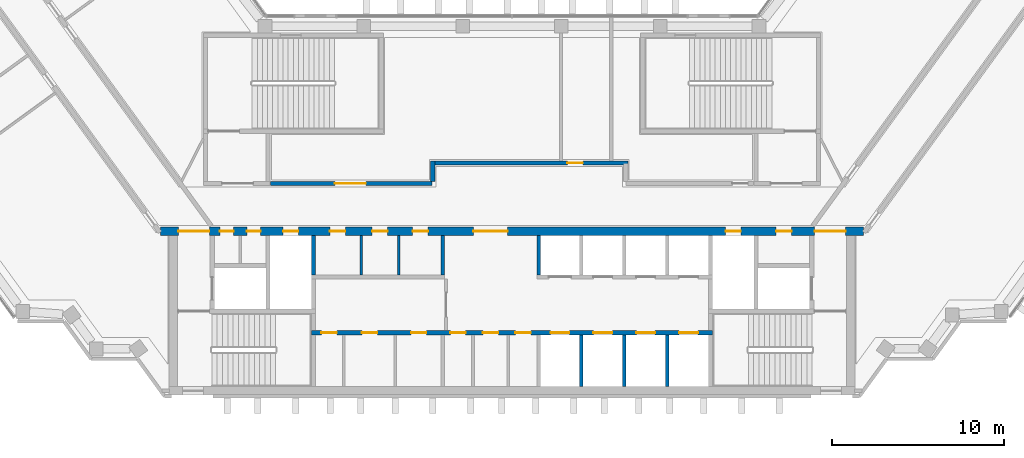
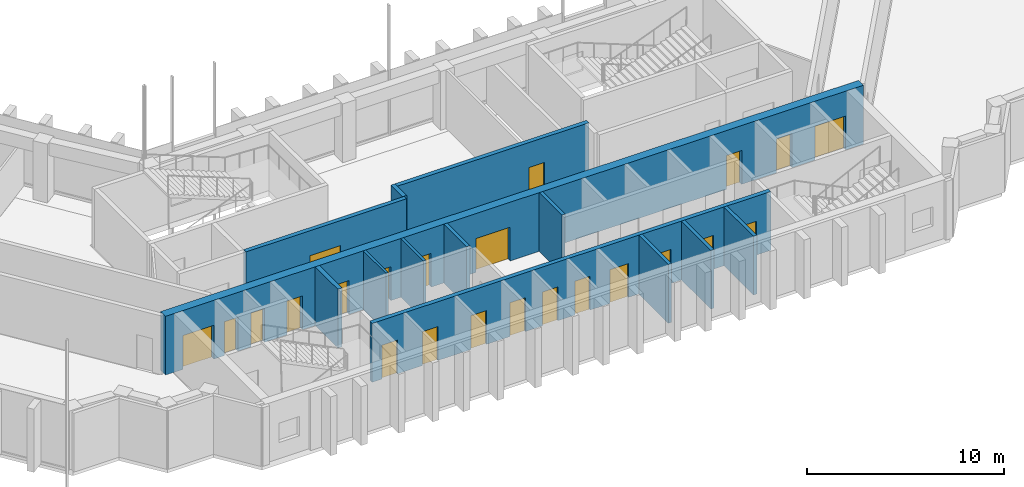
# One storey, part 8 of 12: 23 doors, 13 walls, 23 openings.
"""IFC4 building model written with IfcOpenShell, lengths in metres."""

from ifc_helpers import new_model, si_unit, direction, frame, frame_2d, origin, place, context, subcontext, project, spatial, rectangle, extrude, material, layer, layer_set, type_object, element, fill, save


model = new_model("IFC4")

# Units and contexts
model_context = context("Model", 3, precision=1e-05, world=origin(), true_north=direction((0.0, 1.0)))
body_context = subcontext(model_context, "Body", "Model", "MODEL_VIEW")
ifc_project = project(units=[si_unit("LENGTHUNIT", "METRE"), si_unit("AREAUNIT", "SQUARE_METRE"), si_unit("VOLUMEUNIT", "CUBIC_METRE"), si_unit("PLANEANGLEUNIT", "RADIAN"), si_unit("MASSUNIT", "GRAM", prefix="KILO")], contexts=[model_context])

# Site, building, storey
site_placement = place(None, origin())
site = spatial("IfcSite", under=ifc_project, at=site_placement, CompositionType="ELEMENT")
building_placement = place(site_placement, origin())
building = spatial("IfcBuilding", under=site, at=building_placement, Name="Quipu Civic Tower", CompositionType="ELEMENT")
storey_placement = place(building_placement, frame((0.0, 0.0, 222.0)))
storey = spatial("IfcBuildingStorey", under=building, at=storey_placement, Name="L52", CompositionType="ELEMENT", Elevation=222.0)

# Wall, openings, doors
ifc_material_1 = material(Name="Concrete C70/85", Category="concrete")
ifc_layer_1 = layer(ifc_material_1, 0.25)
ifc_layer_set_1 = layer_set([ifc_layer_1], Name="Concrete C70/85")
wall_type_1 = type_object("IfcWallType", Name="Core wall 250", PredefinedType="SHEAR", material=ifc_layer_set_1)
wall_1_placement = place(storey_placement, frame((11.699951171875, -7.375, 0.0), z_axis=(0.0, 0.0, 1.0), x_axis=(-1.0, 0.0, 0.0)))
wall_1 = element("IfcWall", 1, at=wall_1_placement, inside=storey, type_object=wall_type_1, Name="Core wall", PredefinedType="SHEAR", context=body_context, shape_type="SweptSolid", body=[
    extrude(rectangle(XDim=23.39990234375, YDim=0.25, at=frame_2d((11.699951171875, 0.0))), origin(), (0.0, 0.0, 1.0), 3.64990234375),
])
opening_1_placement = place(wall_1_placement, frame((21.912109375, 0.0, 0.0)))
opening_1 = element("IfcOpeningElement", 2, at=opening_1_placement, cuts=wall_1, Name="Opening CD-01", PredefinedType="OPENING", context=body_context, shape_type="SweptSolid", body=[
    extrude(rectangle(XDim=0.89990234375, YDim=2.10009765625, at=frame_2d((0.449951171875, 1.050048828125))), frame((0.0, 0.135009765625, 0.0), z_axis=(0.0, -1.0, 0.0), x_axis=(1.0, 0.0, 0.0)), (0.0, 0.0, 1.0), 0.27001953125),
])
opening_2_placement = place(wall_1_placement, frame((19.550048828125, 0.0, 0.0)))
opening_2 = element("IfcOpeningElement", 3, at=opening_2_placement, cuts=wall_1, Name="Opening CD-02", PredefinedType="OPENING", context=body_context, shape_type="SweptSolid", body=[
    extrude(rectangle(XDim=0.89990234375, YDim=2.10009765625, at=frame_2d((0.449951171875, 1.050048828125))), frame((0.0, 0.135009765625, 0.0), z_axis=(0.0, -1.0, 0.0), x_axis=(1.0, 0.0, 0.0)), (0.0, 0.0, 1.0), 0.27001953125),
])
opening_3_placement = place(wall_1_placement, frame((16.68798828125, 0.0, 0.0)))
opening_3 = element("IfcOpeningElement", 4, at=opening_3_placement, cuts=wall_1, Name="Opening CD-03", PredefinedType="OPENING", context=body_context, shape_type="SweptSolid", body=[
    extrude(rectangle(XDim=0.89990234375, YDim=2.10009765625, at=frame_2d((0.449951171875, 1.050048828125))), frame((0.0, 0.135009765625, 0.0), z_axis=(0.0, -1.0, 0.0), x_axis=(1.0, 0.0, 0.0)), (0.0, 0.0, 1.0), 0.27001953125),
])
opening_4_placement = place(wall_1_placement, frame((14.39990234375, 0.0, 0.0)))
opening_4 = element("IfcOpeningElement", 5, at=opening_4_placement, cuts=wall_1, Name="Opening CD-04", PredefinedType="OPENING", context=body_context, shape_type="SweptSolid", body=[
    extrude(rectangle(XDim=0.89990234375, YDim=2.10009765625, at=frame_2d((0.449951171875, 1.050048828125))), frame((0.0, 0.135009765625, 0.0), z_axis=(0.0, -1.0, 0.0), x_axis=(1.0, 0.0, 0.0)), (0.0, 0.0, 1.0), 0.27001953125),
])
opening_5_placement = place(wall_1_placement, frame((12.5, 0.0, 0.0)))
opening_5 = element("IfcOpeningElement", 6, at=opening_5_placement, cuts=wall_1, Name="Opening CD-05", PredefinedType="OPENING", context=body_context, shape_type="SweptSolid", body=[
    extrude(rectangle(XDim=0.89990234375, YDim=2.10009765625, at=frame_2d((0.449951171875, 1.050048828125))), frame((0.0, 0.135009765625, 0.0), z_axis=(0.0, -1.0, 0.0), x_axis=(1.0, 0.0, 0.0)), (0.0, 0.0, 1.0), 0.27001953125),
])
opening_6_placement = place(wall_1_placement, frame((10.60009765625, 0.0, 0.0)))
opening_6 = element("IfcOpeningElement", 7, at=opening_6_placement, cuts=wall_1, Name="Opening CD-06", PredefinedType="OPENING", context=body_context, shape_type="SweptSolid", body=[
    extrude(rectangle(XDim=0.89990234375, YDim=2.10009765625, at=frame_2d((0.449951171875, 1.050048828125))), frame((0.0, 0.135009765625, 0.0), z_axis=(0.0, -1.0, 0.0), x_axis=(1.0, 0.0, 0.0)), (0.0, 0.0, 1.0), 0.27001953125),
])
opening_7_placement = place(wall_1_placement, frame((8.35009765625, 0.0, 0.0)))
opening_7 = element("IfcOpeningElement", 8, at=opening_7_placement, cuts=wall_1, Name="Opening LD-ML1", PredefinedType="OPENING", context=body_context, shape_type="SweptSolid", body=[
    extrude(rectangle(XDim=1.10009765625, YDim=2.10009765625, at=frame_2d((0.550048828125, 1.050048828125))), frame((0.0, 0.135009765625, 0.0), z_axis=(0.0, -1.0, 0.0), x_axis=(1.0, 0.0, 0.0)), (0.0, 0.0, 1.0), 0.27001953125),
])
opening_8_placement = place(wall_1_placement, frame((5.85009765625, 0.0, 0.0)))
opening_8 = element("IfcOpeningElement", 9, at=opening_8_placement, cuts=wall_1, Name="Opening LD-ML2", PredefinedType="OPENING", context=body_context, shape_type="SweptSolid", body=[
    extrude(rectangle(XDim=1.10009765625, YDim=2.10009765625, at=frame_2d((0.550048828125, 1.050048828125))), frame((0.0, 0.135009765625, 0.0), z_axis=(0.0, -1.0, 0.0), x_axis=(1.0, 0.0, 0.0)), (0.0, 0.0, 1.0), 0.27001953125),
])
opening_9_placement = place(wall_1_placement, frame((3.35009765625, 0.0, 0.0)))
opening_9 = element("IfcOpeningElement", 10, at=opening_9_placement, cuts=wall_1, Name="Opening LD-ML3", PredefinedType="OPENING", context=body_context, shape_type="SweptSolid", body=[
    extrude(rectangle(XDim=1.10009765625, YDim=2.10009765625, at=frame_2d((0.550048828125, 1.050048828125))), frame((0.0, 0.135009765625, 0.0), z_axis=(0.0, -1.0, 0.0), x_axis=(1.0, 0.0, 0.0)), (0.0, 0.0, 1.0), 0.27001953125),
])
opening_10_placement = place(wall_1_placement, frame((0.85009765625, 0.0, 0.0)))
opening_10 = element("IfcOpeningElement", 11, at=opening_10_placement, cuts=wall_1, Name="Opening LD-ML4", PredefinedType="OPENING", context=body_context, shape_type="SweptSolid", body=[
    extrude(rectangle(XDim=1.10009765625, YDim=2.10009765625, at=frame_2d((0.550048828125, 1.050048828125))), frame((0.0, 0.135009765625, 0.0), z_axis=(0.0, -1.0, 0.0), x_axis=(1.0, 0.0, 0.0)), (0.0, 0.0, 1.0), 0.27001953125),
])
ifc_material_2 = material(Name="Fire rated steel door", Category="steel")
door_type_1 = type_object("IfcDoorType", Name="Fire door FD60 900 x 2100", OperationType="NOTDEFINED", PredefinedType="DOOR", material=ifc_material_2)
door_1_placement = place(opening_1_placement, origin())
door_1 = element("IfcDoor", 12, at=door_1_placement, inside=storey, type_object=door_type_1, Name="Door", OperationType="SINGLE_SWING_RIGHT", OverallHeight=2.10009765625, OverallWidth=0.89990234375, PredefinedType="DOOR", context=body_context, shape_type="SweptSolid", body=[
    extrude(rectangle(XDim=0.89990234375, YDim=2.10009765625, at=frame_2d((0.449951171875, 1.050048828125))), frame((0.0, 0.02490234375, 0.0), z_axis=(0.0, -1.0, 0.0), x_axis=(1.0, 0.0, 0.0)), (0.0, 0.0, 1.0), 0.050048828125),
])
fill(opening_1, door_1)
door_2_placement = place(opening_2_placement, origin())
door_2 = element("IfcDoor", 13, at=door_2_placement, inside=storey, type_object=door_type_1, Name="Door", OperationType="SINGLE_SWING_RIGHT", OverallHeight=2.10009765625, OverallWidth=0.89990234375, PredefinedType="DOOR", context=body_context, shape_type="SweptSolid", body=[
    extrude(rectangle(XDim=0.89990234375, YDim=2.10009765625, at=frame_2d((0.449951171875, 1.050048828125))), frame((0.0, 0.02490234375, 0.0), z_axis=(0.0, -1.0, 0.0), x_axis=(1.0, 0.0, 0.0)), (0.0, 0.0, 1.0), 0.050048828125),
])
fill(opening_2, door_2)
door_3_placement = place(opening_3_placement, origin())
door_3 = element("IfcDoor", 14, at=door_3_placement, inside=storey, type_object=door_type_1, Name="Door", OperationType="SINGLE_SWING_RIGHT", OverallHeight=2.10009765625, OverallWidth=0.89990234375, PredefinedType="DOOR", context=body_context, shape_type="SweptSolid", body=[
    extrude(rectangle(XDim=0.89990234375, YDim=2.10009765625, at=frame_2d((0.449951171875, 1.050048828125))), frame((0.0, 0.02490234375, 0.0), z_axis=(0.0, -1.0, 0.0), x_axis=(1.0, 0.0, 0.0)), (0.0, 0.0, 1.0), 0.050048828125),
])
fill(opening_3, door_3)
door_4_placement = place(opening_4_placement, origin())
door_4 = element("IfcDoor", 15, at=door_4_placement, inside=storey, type_object=door_type_1, Name="WC door", OperationType="SINGLE_SWING_RIGHT", OverallHeight=2.10009765625, OverallWidth=0.89990234375, PredefinedType="DOOR", context=body_context, shape_type="SweptSolid", body=[
    extrude(rectangle(XDim=0.89990234375, YDim=2.10009765625, at=frame_2d((0.449951171875, 1.050048828125))), frame((0.0, 0.02490234375, 0.0), z_axis=(0.0, -1.0, 0.0), x_axis=(1.0, 0.0, 0.0)), (0.0, 0.0, 1.0), 0.050048828125),
])
fill(opening_4, door_4)
door_5_placement = place(opening_5_placement, origin())
door_5 = element("IfcDoor", 16, at=door_5_placement, inside=storey, type_object=door_type_1, Name="WC door", OperationType="SINGLE_SWING_RIGHT", OverallHeight=2.10009765625, OverallWidth=0.89990234375, PredefinedType="DOOR", context=body_context, shape_type="SweptSolid", body=[
    extrude(rectangle(XDim=0.89990234375, YDim=2.10009765625, at=frame_2d((0.449951171875, 1.050048828125))), frame((0.0, 0.02490234375, 0.0), z_axis=(0.0, -1.0, 0.0), x_axis=(1.0, 0.0, 0.0)), (0.0, 0.0, 1.0), 0.050048828125),
])
fill(opening_5, door_5)
door_6_placement = place(opening_6_placement, origin())
door_6 = element("IfcDoor", 17, at=door_6_placement, inside=storey, type_object=door_type_1, Name="WC door", OperationType="SINGLE_SWING_LEFT", OverallHeight=2.10009765625, OverallWidth=0.89990234375, PredefinedType="DOOR", context=body_context, shape_type="SweptSolid", body=[
    extrude(rectangle(XDim=0.89990234375, YDim=2.10009765625, at=frame_2d((0.449951171875, 1.050048828125))), frame((0.0, 0.02490234375, 0.0), z_axis=(0.0, -1.0, 0.0), x_axis=(1.0, 0.0, 0.0)), (0.0, 0.0, 1.0), 0.050048828125),
])
fill(opening_6, door_6)
ifc_material_3 = material(Name="Stainless steel", Category="steel")
door_type_2 = type_object("IfcDoorType", Name="Lift landing door 1100 x 2100", OperationType="DOUBLE_DOOR_SLIDING", PredefinedType="DOOR", material=ifc_material_3)
door_7_placement = place(opening_7_placement, origin())
door_7 = element("IfcDoor", 18, at=door_7_placement, inside=storey, type_object=door_type_2, Name="Landing door ML1", OperationType="DOUBLE_DOOR_SLIDING", OverallHeight=2.10009765625, OverallWidth=1.10009765625, PredefinedType="DOOR", context=body_context, shape_type="SweptSolid", body=[
    extrude(rectangle(XDim=1.10009765625, YDim=2.10009765625, at=frame_2d((0.550048828125, 1.050048828125))), frame((0.0, 0.02490234375, 0.0), z_axis=(0.0, -1.0, 0.0), x_axis=(1.0, 0.0, 0.0)), (0.0, 0.0, 1.0), 0.050048828125),
])
fill(opening_7, door_7)
door_8_placement = place(opening_8_placement, origin())
door_8 = element("IfcDoor", 19, at=door_8_placement, inside=storey, type_object=door_type_2, Name="Landing door ML2", OperationType="DOUBLE_DOOR_SLIDING", OverallHeight=2.10009765625, OverallWidth=1.10009765625, PredefinedType="DOOR", context=body_context, shape_type="SweptSolid", body=[
    extrude(rectangle(XDim=1.10009765625, YDim=2.10009765625, at=frame_2d((0.550048828125, 1.050048828125))), frame((0.0, 0.02490234375, 0.0), z_axis=(0.0, -1.0, 0.0), x_axis=(1.0, 0.0, 0.0)), (0.0, 0.0, 1.0), 0.050048828125),
])
fill(opening_8, door_8)
door_9_placement = place(opening_9_placement, origin())
door_9 = element("IfcDoor", 20, at=door_9_placement, inside=storey, type_object=door_type_2, Name="Landing door ML3", OperationType="DOUBLE_DOOR_SLIDING", OverallHeight=2.10009765625, OverallWidth=1.10009765625, PredefinedType="DOOR", context=body_context, shape_type="SweptSolid", body=[
    extrude(rectangle(XDim=1.10009765625, YDim=2.10009765625, at=frame_2d((0.550048828125, 1.050048828125))), frame((0.0, 0.02490234375, 0.0), z_axis=(0.0, -1.0, 0.0), x_axis=(1.0, 0.0, 0.0)), (0.0, 0.0, 1.0), 0.050048828125),
])
fill(opening_9, door_9)
door_10_placement = place(opening_10_placement, origin())
door_10 = element("IfcDoor", 21, at=door_10_placement, inside=storey, type_object=door_type_2, Name="Landing door ML4", OperationType="DOUBLE_DOOR_SLIDING", OverallHeight=2.10009765625, OverallWidth=1.10009765625, PredefinedType="DOOR", context=body_context, shape_type="SweptSolid", body=[
    extrude(rectangle(XDim=1.10009765625, YDim=2.10009765625, at=frame_2d((0.550048828125, 1.050048828125))), frame((0.0, 0.02490234375, 0.0), z_axis=(0.0, -1.0, 0.0), x_axis=(1.0, 0.0, 0.0)), (0.0, 0.0, 1.0), 0.050048828125),
])
fill(opening_10, door_10)

# Wall
wall_2_placement = place(storey_placement, frame((-11.574951171875, -4.0, 0.0), z_axis=(0.0, 0.0, 1.0), x_axis=(0.0, 1.0, 0.0)))
element("IfcWall", 22, at=wall_2_placement, inside=storey, type_object=wall_type_1, Name="Core wall", PredefinedType="SHEAR", context=body_context, shape_type="SweptSolid", body=[
    extrude(rectangle(XDim=2.300048828125, YDim=0.25, at=frame_2d((1.14990234375, 0.0))), origin(), (0.0, 0.0, 1.0), 3.64990234375),
])

# Wall, openings, doors
ifc_material_4 = material(Name="Concrete C70/85", Category="concrete")
ifc_layer_2 = layer(ifc_material_4, 0.5)
ifc_layer_set_2 = layer_set([ifc_layer_2], Name="Concrete C70/85")
wall_type_2 = type_object("IfcWallType", Name="Core wall 500", PredefinedType="SHEAR", material=ifc_layer_set_2)
wall_3_placement = place(storey_placement, frame((20.489990234375, -1.449951171875, 0.0), z_axis=(0.0, 0.0, 1.0), x_axis=(-1.0, 0.0, 0.0)))
wall_3 = element("IfcWall", 23, at=wall_3_placement, inside=storey, type_object=wall_type_2, Name="Core wall", PredefinedType="SHEAR", context=body_context, shape_type="SweptSolid", body=[
    extrude(rectangle(XDim=40.97998046875, YDim=0.5, at=frame_2d((20.489990234375, 0.0))), origin(), (0.0, 0.0, 1.0), 3.64990234375),
])
opening_11_placement = place(wall_3_placement, frame((38.139892578125, 0.0, 0.0)))
opening_11 = element("IfcOpeningElement", 24, at=opening_11_placement, cuts=wall_3, Name="Opening CD-10", PredefinedType="OPENING", context=body_context, shape_type="SweptSolid", body=[
    extrude(rectangle(XDim=1.800048828125, YDim=2.10009765625, at=frame_2d((0.89990234375, 1.050048828125))), frame((0.0, 0.260009765625, 0.0), z_axis=(0.0, -1.0, 0.0), x_axis=(1.0, 0.0, 0.0)), (0.0, 0.0, 1.0), 0.52001953125),
])
opening_12_placement = place(wall_3_placement, frame((36.7275390625, 0.0, 0.0)))
opening_12 = element("IfcOpeningElement", 25, at=opening_12_placement, cuts=wall_3, Name="Opening CD-11", PredefinedType="OPENING", context=body_context, shape_type="SweptSolid", body=[
    extrude(rectangle(XDim=0.800048828125, YDim=2.10009765625, at=frame_2d((0.39990234375, 1.050048828125))), frame((0.0, 0.260009765625, 0.0), z_axis=(0.0, -1.0, 0.0), x_axis=(1.0, 0.0, 0.0)), (0.0, 0.0, 1.0), 0.52001953125),
])
opening_13_placement = place(wall_3_placement, frame((35.152587890625, 0.0, 0.0)))
opening_13 = element("IfcOpeningElement", 26, at=opening_13_placement, cuts=wall_3, Name="Opening CD-12", PredefinedType="OPENING", context=body_context, shape_type="SweptSolid", body=[
    extrude(rectangle(XDim=0.800048828125, YDim=2.10009765625, at=frame_2d((0.39990234375, 1.050048828125))), frame((0.0, 0.260009765625, 0.0), z_axis=(0.0, -1.0, 0.0), x_axis=(1.0, 0.0, 0.0)), (0.0, 0.0, 1.0), 0.52001953125),
])
opening_14_placement = place(wall_3_placement, frame((32.93994140625, 0.0, 0.0)))
opening_14 = element("IfcOpeningElement", 27, at=opening_14_placement, cuts=wall_3, Name="Opening CD-13", PredefinedType="OPENING", context=body_context, shape_type="SweptSolid", body=[
    extrude(rectangle(XDim=0.89990234375, YDim=2.10009765625, at=frame_2d((0.449951171875, 1.050048828125))), frame((0.0, 0.260009765625, 0.0), z_axis=(0.0, -1.0, 0.0), x_axis=(1.0, 0.0, 0.0)), (0.0, 0.0, 1.0), 0.52001953125),
])
opening_15_placement = place(wall_3_placement, frame((30.202392578125, 0.0, 0.0)))
opening_15 = element("IfcOpeningElement", 28, at=opening_15_placement, cuts=wall_3, Name="Opening CD-14", PredefinedType="OPENING", context=body_context, shape_type="SweptSolid", body=[
    extrude(rectangle(XDim=0.89990234375, YDim=2.10009765625, at=frame_2d((0.449951171875, 1.050048828125))), frame((0.0, 0.260009765625, 0.0), z_axis=(0.0, -1.0, 0.0), x_axis=(1.0, 0.0, 0.0)), (0.0, 0.0, 1.0), 0.52001953125),
])
opening_16_placement = place(wall_3_placement, frame((27.739990234375, 0.0, 0.0)))
opening_16 = element("IfcOpeningElement", 29, at=opening_16_placement, cuts=wall_3, Name="Opening CD-15", PredefinedType="OPENING", context=body_context, shape_type="SweptSolid", body=[
    extrude(rectangle(XDim=0.89990234375, YDim=2.10009765625, at=frame_2d((0.449951171875, 1.050048828125))), frame((0.0, 0.260009765625, 0.0), z_axis=(0.0, -1.0, 0.0), x_axis=(1.0, 0.0, 0.0)), (0.0, 0.0, 1.0), 0.52001953125),
])
opening_17_placement = place(wall_3_placement, frame((25.37744140625, 0.0, 0.0)))
opening_17 = element("IfcOpeningElement", 30, at=opening_17_placement, cuts=wall_3, Name="Opening CD-16", PredefinedType="OPENING", context=body_context, shape_type="SweptSolid", body=[
    extrude(rectangle(XDim=0.89990234375, YDim=2.10009765625, at=frame_2d((0.449951171875, 1.050048828125))), frame((0.0, 0.260009765625, 0.0), z_axis=(0.0, -1.0, 0.0), x_axis=(1.0, 0.0, 0.0)), (0.0, 0.0, 1.0), 0.52001953125),
])
opening_18_placement = place(wall_3_placement, frame((20.739990234375, 0.0, 0.0)))
opening_18 = element("IfcOpeningElement", 31, at=opening_18_placement, cuts=wall_3, Name="Opening CD-17", PredefinedType="OPENING", context=body_context, shape_type="SweptSolid", body=[
    extrude(rectangle(XDim=2.0, YDim=2.10009765625, at=frame_2d((1.0, 1.050048828125))), frame((0.0, 0.260009765625, 0.0), z_axis=(0.0, -1.0, 0.0), x_axis=(1.0, 0.0, 0.0)), (0.0, 0.0, 1.0), 0.52001953125),
])
opening_19_placement = place(wall_3_placement, frame((7.139892578125, 0.0, 0.0)))
opening_19 = element("IfcOpeningElement", 32, at=opening_19_placement, cuts=wall_3, Name="Opening CD-18", PredefinedType="OPENING", context=body_context, shape_type="SweptSolid", body=[
    extrude(rectangle(XDim=0.89990234375, YDim=2.10009765625, at=frame_2d((0.449951171875, 1.050048828125))), frame((0.0, 0.260009765625, 0.0), z_axis=(0.0, -1.0, 0.0), x_axis=(1.0, 0.0, 0.0)), (0.0, 0.0, 1.0), 0.52001953125),
])
opening_20_placement = place(wall_3_placement, frame((4.18994140625, 0.0, 0.0)))
opening_20 = element("IfcOpeningElement", 33, at=opening_20_placement, cuts=wall_3, Name="Opening CD-19", PredefinedType="OPENING", context=body_context, shape_type="SweptSolid", body=[
    extrude(rectangle(XDim=0.89990234375, YDim=2.10009765625, at=frame_2d((0.449951171875, 1.050048828125))), frame((0.0, 0.260009765625, 0.0), z_axis=(0.0, -1.0, 0.0), x_axis=(1.0, 0.0, 0.0)), (0.0, 0.0, 1.0), 0.52001953125),
])
opening_21_placement = place(wall_3_placement, frame((1.0400390625, 0.0, 0.0)))
opening_21 = element("IfcOpeningElement", 34, at=opening_21_placement, cuts=wall_3, Name="Opening CD-20", PredefinedType="OPENING", context=body_context, shape_type="SweptSolid", body=[
    extrude(rectangle(XDim=1.800048828125, YDim=2.10009765625, at=frame_2d((0.89990234375, 1.050048828125))), frame((0.0, 0.260009765625, 0.0), z_axis=(0.0, -1.0, 0.0), x_axis=(1.0, 0.0, 0.0)), (0.0, 0.0, 1.0), 0.52001953125),
])
ifc_material_5 = material(Name="Fire rated steel door", Category="steel")
door_type_3 = type_object("IfcDoorType", Name="Fire door FD60 800 x 2100", OperationType="NOTDEFINED", PredefinedType="DOOR", material=ifc_material_5)
door_11_placement = place(opening_12_placement, origin())
door_11 = element("IfcDoor", 35, at=door_11_placement, inside=storey, type_object=door_type_3, Name="Door", OperationType="SINGLE_SWING_RIGHT", OverallHeight=2.10009765625, OverallWidth=0.800048828125, PredefinedType="DOOR", context=body_context, shape_type="SweptSolid", body=[
    extrude(rectangle(XDim=0.800048828125, YDim=2.10009765625, at=frame_2d((0.39990234375, 1.050048828125))), frame((0.0, 0.02490234375, 0.0), z_axis=(0.0, -1.0, 0.0), x_axis=(1.0, 0.0, 0.0)), (0.0, 0.0, 1.0), 0.050048828125),
])
fill(opening_12, door_11)
door_12_placement = place(opening_13_placement, origin())
door_12 = element("IfcDoor", 36, at=door_12_placement, inside=storey, type_object=door_type_3, Name="Door", OperationType="SINGLE_SWING_RIGHT", OverallHeight=2.10009765625, OverallWidth=0.800048828125, PredefinedType="DOOR", context=body_context, shape_type="SweptSolid", body=[
    extrude(rectangle(XDim=0.800048828125, YDim=2.10009765625, at=frame_2d((0.39990234375, 1.050048828125))), frame((0.0, 0.02490234375, 0.0), z_axis=(0.0, -1.0, 0.0), x_axis=(1.0, 0.0, 0.0)), (0.0, 0.0, 1.0), 0.050048828125),
])
fill(opening_13, door_12)
door_13_placement = place(opening_14_placement, origin())
door_13 = element("IfcDoor", 37, at=door_13_placement, inside=storey, type_object=door_type_1, Name="Riser door", OperationType="SINGLE_SWING_RIGHT", OverallHeight=2.10009765625, OverallWidth=0.89990234375, PredefinedType="DOOR", context=body_context, shape_type="SweptSolid", body=[
    extrude(rectangle(XDim=0.89990234375, YDim=2.10009765625, at=frame_2d((0.449951171875, 1.050048828125))), frame((0.0, 0.02490234375, 0.0), z_axis=(0.0, -1.0, 0.0), x_axis=(1.0, 0.0, 0.0)), (0.0, 0.0, 1.0), 0.050048828125),
])
fill(opening_14, door_13)
door_14_placement = place(opening_15_placement, origin())
door_14 = element("IfcDoor", 38, at=door_14_placement, inside=storey, type_object=door_type_1, Name="Door", OperationType="SINGLE_SWING_RIGHT", OverallHeight=2.10009765625, OverallWidth=0.89990234375, PredefinedType="DOOR", context=body_context, shape_type="SweptSolid", body=[
    extrude(rectangle(XDim=0.89990234375, YDim=2.10009765625, at=frame_2d((0.449951171875, 1.050048828125))), frame((0.0, 0.02490234375, 0.0), z_axis=(0.0, -1.0, 0.0), x_axis=(1.0, 0.0, 0.0)), (0.0, 0.0, 1.0), 0.050048828125),
])
fill(opening_15, door_14)
door_15_placement = place(opening_16_placement, origin())
door_15 = element("IfcDoor", 39, at=door_15_placement, inside=storey, type_object=door_type_1, Name="Door", OperationType="SINGLE_SWING_RIGHT", OverallHeight=2.10009765625, OverallWidth=0.89990234375, PredefinedType="DOOR", context=body_context, shape_type="SweptSolid", body=[
    extrude(rectangle(XDim=0.89990234375, YDim=2.10009765625, at=frame_2d((0.449951171875, 1.050048828125))), frame((0.0, 0.02490234375, 0.0), z_axis=(0.0, -1.0, 0.0), x_axis=(1.0, 0.0, 0.0)), (0.0, 0.0, 1.0), 0.050048828125),
])
fill(opening_16, door_15)
door_16_placement = place(opening_17_placement, origin())
door_16 = element("IfcDoor", 40, at=door_16_placement, inside=storey, type_object=door_type_1, Name="Door", OperationType="SINGLE_SWING_RIGHT", OverallHeight=2.10009765625, OverallWidth=0.89990234375, PredefinedType="DOOR", context=body_context, shape_type="SweptSolid", body=[
    extrude(rectangle(XDim=0.89990234375, YDim=2.10009765625, at=frame_2d((0.449951171875, 1.050048828125))), frame((0.0, 0.02490234375, 0.0), z_axis=(0.0, -1.0, 0.0), x_axis=(1.0, 0.0, 0.0)), (0.0, 0.0, 1.0), 0.050048828125),
])
fill(opening_17, door_16)
door_17_placement = place(opening_19_placement, origin())
door_17 = element("IfcDoor", 41, at=door_17_placement, inside=storey, type_object=door_type_1, Name="Riser door", OperationType="SINGLE_SWING_LEFT", OverallHeight=2.10009765625, OverallWidth=0.89990234375, PredefinedType="DOOR", context=body_context, shape_type="SweptSolid", body=[
    extrude(rectangle(XDim=0.89990234375, YDim=2.10009765625, at=frame_2d((0.449951171875, 1.050048828125))), frame((0.0, 0.02490234375, 0.0), z_axis=(0.0, -1.0, 0.0), x_axis=(1.0, 0.0, 0.0)), (0.0, 0.0, 1.0), 0.050048828125),
])
fill(opening_19, door_17)
door_18_placement = place(opening_20_placement, origin())
door_18 = element("IfcDoor", 42, at=door_18_placement, inside=storey, type_object=door_type_1, Name="Door", OperationType="SINGLE_SWING_LEFT", OverallHeight=2.10009765625, OverallWidth=0.89990234375, PredefinedType="DOOR", context=body_context, shape_type="SweptSolid", body=[
    extrude(rectangle(XDim=0.89990234375, YDim=2.10009765625, at=frame_2d((0.449951171875, 1.050048828125))), frame((0.0, 0.02490234375, 0.0), z_axis=(0.0, -1.0, 0.0), x_axis=(1.0, 0.0, 0.0)), (0.0, 0.0, 1.0), 0.050048828125),
])
fill(opening_20, door_18)
ifc_material_6 = material(Name="Fire rated steel door", Category="steel")
door_type_4 = type_object("IfcDoorType", Name="Fire door FD90 double 1800 x 2100", OperationType="NOTDEFINED", PredefinedType="DOOR", material=ifc_material_6)
door_19_placement = place(opening_11_placement, origin())
door_19 = element("IfcDoor", 43, at=door_19_placement, inside=storey, type_object=door_type_4, Name="Lobby door", OperationType="DOUBLE_DOOR_SINGLE_SWING", OverallHeight=2.10009765625, OverallWidth=1.800048828125, PredefinedType="DOOR", context=body_context, shape_type="SweptSolid", body=[
    extrude(rectangle(XDim=1.800048828125, YDim=2.10009765625, at=frame_2d((0.89990234375, 1.050048828125))), frame((0.0, 0.02490234375, 0.0), z_axis=(0.0, -1.0, 0.0), x_axis=(1.0, 0.0, 0.0)), (0.0, 0.0, 1.0), 0.050048828125),
])
fill(opening_11, door_19)
door_20_placement = place(opening_21_placement, origin())
door_20 = element("IfcDoor", 44, at=door_20_placement, inside=storey, type_object=door_type_4, Name="Lobby door", OperationType="DOUBLE_DOOR_SINGLE_SWING", OverallHeight=2.10009765625, OverallWidth=1.800048828125, PredefinedType="DOOR", context=body_context, shape_type="SweptSolid", body=[
    extrude(rectangle(XDim=1.800048828125, YDim=2.10009765625, at=frame_2d((0.89990234375, 1.050048828125))), frame((0.0, 0.02490234375, 0.0), z_axis=(0.0, -1.0, 0.0), x_axis=(1.0, 0.0, 0.0)), (0.0, 0.0, 1.0), 0.050048828125),
])
fill(opening_21, door_20)
ifc_material_7 = material(Name="Fire rated steel door", Category="steel")
door_type_5 = type_object("IfcDoorType", Name="Fire door FD90 double 2000 x 2100", OperationType="NOTDEFINED", PredefinedType="DOOR", material=ifc_material_7)
door_21_placement = place(opening_18_placement, origin())
door_21 = element("IfcDoor", 45, at=door_21_placement, inside=storey, type_object=door_type_5, Name="Lobby door", OperationType="DOUBLE_DOOR_SINGLE_SWING", OverallHeight=2.10009765625, OverallWidth=2.0, PredefinedType="DOOR", context=body_context, shape_type="SweptSolid", body=[
    extrude(rectangle(XDim=2.0, YDim=2.10009765625, at=frame_2d((1.0, 1.050048828125))), frame((0.0, 0.02490234375, 0.0), z_axis=(0.0, -1.0, 0.0), x_axis=(1.0, 0.0, 0.0)), (0.0, 0.0, 1.0), 0.050048828125),
])
fill(opening_18, door_21)

# Wall, opening, door
ifc_material_8 = material(Name="Concrete C50/60", Category="concrete")
ifc_layer_3 = layer(ifc_material_8, 0.25)
ifc_layer_set_3 = layer_set([ifc_layer_3], Name="Concrete C50/60")
wall_type_3 = type_object("IfcWallType", Name="Corridor wall 250 concrete", PredefinedType="SOLIDWALL", material=ifc_layer_set_3)
wall_4_placement = place(storey_placement, frame((-14.090087890625, 1.324951171875, 0.0), z_axis=(0.0, 0.0, 1.0), x_axis=(1.0, 0.0, 0.0)))
wall_4 = element("IfcWall", 46, at=wall_4_placement, inside=storey, type_object=wall_type_3, Name="Corridor wall C07", PredefinedType="SOLIDWALL", context=body_context, shape_type="SweptSolid", body=[
    extrude(rectangle(XDim=9.431396484375, YDim=0.25, at=frame_2d((4.7158203125, 0.0))), origin(), (0.0, 0.0, 1.0), 3.64990234375),
])
opening_22_placement = place(wall_4_placement, frame((3.764892578125, 0.0, 0.0)))
opening_22 = element("IfcOpeningElement", 47, at=opening_22_placement, cuts=wall_4, Name="Opening D003", PredefinedType="OPENING", context=body_context, shape_type="SweptSolid", body=[
    extrude(rectangle(XDim=1.800048828125, YDim=2.10009765625, at=frame_2d((0.89990234375, 1.050048828125))), frame((0.0, 0.135009765625, 0.0), z_axis=(0.0, -1.0, 0.0), x_axis=(1.0, 0.0, 0.0)), (0.0, 0.0, 1.0), 0.27001953125),
])
ifc_material_9 = material(Name="Fire rated timber door set with metal frame", Category="wood")
door_type_6 = type_object("IfcDoorType", Name="Double door 1800 x 2100 FD60", OperationType="DOUBLE_DOOR_SINGLE_SWING", PredefinedType="DOOR", material=ifc_material_9)
door_22_placement = place(opening_22_placement, origin())
door_22 = element("IfcDoor", 48, at=door_22_placement, inside=storey, type_object=door_type_6, Name="Door D003", OperationType="DOUBLE_DOOR_SINGLE_SWING", OverallHeight=2.10009765625, OverallWidth=1.800048828125, PredefinedType="DOOR", context=body_context, shape_type="SweptSolid", body=[
    extrude(rectangle(XDim=1.800048828125, YDim=2.10009765625, at=frame_2d((0.89990234375, 1.050048828125))), frame((0.0, 0.02490234375, 0.0), z_axis=(0.0, -1.0, 0.0), x_axis=(1.0, 0.0, 0.0)), (0.0, 0.0, 1.0), 0.050048828125),
])
fill(opening_22, door_22)

# Wall
wall_5_placement = place(storey_placement, frame((-4.625, 1.45361328125, 0.0), z_axis=(0.0, 0.0, 1.0), x_axis=(0.0, 1.0, 0.0)))
element("IfcWall", 49, at=wall_5_placement, inside=storey, type_object=wall_type_3, Name="Corridor wall C08", PredefinedType="SOLIDWALL", context=body_context, shape_type="SweptSolid", body=[
    extrude(rectangle(XDim=1.1962890625, YDim=0.25, at=frame_2d((0.59814453125, 0.0))), origin(), (0.0, 0.0, 1.0), 3.64990234375),
])

# Wall, opening, door
wall_6_placement = place(storey_placement, frame((-4.5, 2.52490234375, 0.0), z_axis=(0.0, 0.0, 1.0), x_axis=(1.0, 0.0, 0.0)))
wall_6 = element("IfcWall", 50, at=wall_6_placement, inside=storey, type_object=wall_type_3, Name="Corridor wall C09", PredefinedType="SOLIDWALL", context=body_context, shape_type="SweptSolid", body=[
    extrude(rectangle(XDim=11.25, YDim=0.25, at=frame_2d((5.625, 0.0))), origin(), (0.0, 0.0, 1.0), 3.64990234375),
])
opening_23_placement = place(wall_6_placement, frame((7.72900390625, 0.0, 0.0)))
opening_23 = element("IfcOpeningElement", 51, at=opening_23_placement, cuts=wall_6, Name="Opening D004", PredefinedType="OPENING", context=body_context, shape_type="SweptSolid", body=[
    extrude(rectangle(XDim=0.89990234375, YDim=2.10009765625, at=frame_2d((0.449951171875, 1.050048828125))), frame((0.0, 0.135009765625, 0.0), z_axis=(0.0, -1.0, 0.0), x_axis=(1.0, 0.0, 0.0)), (0.0, 0.0, 1.0), 0.27001953125),
])
ifc_material_10 = material(Name="Fire rated timber door set with metal frame", Category="wood")
door_type_7 = type_object("IfcDoorType", Name="Single door 900 x 2100 FD60", OperationType="NOTDEFINED", PredefinedType="DOOR", material=ifc_material_10)
door_23_placement = place(opening_23_placement, origin())
door_23 = element("IfcDoor", 52, at=door_23_placement, inside=storey, type_object=door_type_7, Name="Door D004", OperationType="SINGLE_SWING_LEFT", OverallHeight=2.10009765625, OverallWidth=0.89990234375, PredefinedType="DOOR", context=body_context, shape_type="SweptSolid", body=[
    extrude(rectangle(XDim=0.89990234375, YDim=2.10009765625, at=frame_2d((0.449951171875, 1.050048828125))), frame((0.0, 0.02490234375, 0.0), z_axis=(0.0, -1.0, 0.0), x_axis=(1.0, 0.0, 0.0)), (0.0, 0.0, 1.0), 0.050048828125),
])
fill(opening_23, door_23)

# Walls
ifc_material_11 = material(Name="Gypsum board partition")
ifc_layer_4 = layer(ifc_material_11, 0.14990234375)
ifc_layer_set_4 = layer_set([ifc_layer_4], Name="Gypsum board partition")
wall_type_4 = type_object("IfcWallType", Name="Partition 150", PredefinedType="PARTITIONING", material=ifc_layer_set_4)
for number, where, z_axis, x_axis, name in (
    (53, (-8.800048828125, -4.0, 0.0), (0.0, 0.0, 1.0), (0.0, 1.0, 0.0), "Partition"),
    (54, (-6.60009765625, -4.0, 0.0), (0.0, 0.0, 1.0), (0.0, 1.0, 0.0), "Partition"),
):
    element("IfcWall", number, at=place(storey_placement, frame(where, z_axis=z_axis, x_axis=x_axis)), inside=storey, type_object=wall_type_4, Name=name, PredefinedType="PARTITIONING", context=body_context, shape_type="SweptSolid", body=[
        extrude(rectangle(XDim=2.300048828125, YDim=0.14990234375, at=frame_2d((1.14990234375, 0.0))), origin(), (0.0, 0.0, 1.0), 3.64990234375),
    ])
ifc_material_12 = material(Name="Concrete C40/50", Category="concrete")
ifc_layer_5 = layer(ifc_material_12, 0.199951171875)
ifc_layer_set_5 = layer_set([ifc_layer_5], Name="Concrete C40/50")
wall_type_5 = type_object("IfcWallType", Name="Shaft wall 200", PredefinedType="SOLIDWALL", material=ifc_layer_set_5)
for number, where, z_axis, x_axis, name in (
    (55, (4.050048828125, -10.5, 0.0), (0.0, 0.0, 1.0), (0.0, 1.0, 0.0), "Shaft wall"),
    (56, (6.550048828125, -10.5, 0.0), (0.0, 0.0, 1.0), (0.0, 1.0, 0.0), "Shaft wall"),
    (57, (9.050048828125, -10.5, 0.0), (0.0, 0.0, 1.0), (0.0, 1.0, 0.0), "Shaft wall"),
):
    element("IfcWall", number, at=place(storey_placement, frame(where, z_axis=z_axis, x_axis=x_axis)), inside=storey, type_object=wall_type_5, Name=name, PredefinedType="SOLIDWALL", context=body_context, shape_type="SweptSolid", body=[
        extrude(rectangle(XDim=3.0, YDim=0.199951171875, at=frame_2d((1.5, 0.0))), origin(), (0.0, 0.0, 1.0), 3.64990234375),
    ])
for number, where, z_axis, x_axis, name in (
    (58, (-4.050048828125, -4.0, 0.0), (0.0, 0.0, 1.0), (0.0, 1.0, 0.0), "Shaft wall"),
    (59, (1.550048828125, -4.0, 0.0), (0.0, 0.0, 1.0), (0.0, 1.0, 0.0), "Shaft wall"),
):
    element("IfcWall", number, at=place(storey_placement, frame(where, z_axis=z_axis, x_axis=x_axis)), inside=storey, type_object=wall_type_5, Name=name, PredefinedType="SOLIDWALL", context=body_context, shape_type="SweptSolid", body=[
        extrude(rectangle(XDim=2.300048828125, YDim=0.199951171875, at=frame_2d((1.14990234375, 0.0))), origin(), (0.0, 0.0, 1.0), 3.64990234375),
    ])

save(model, "model.ifc")
